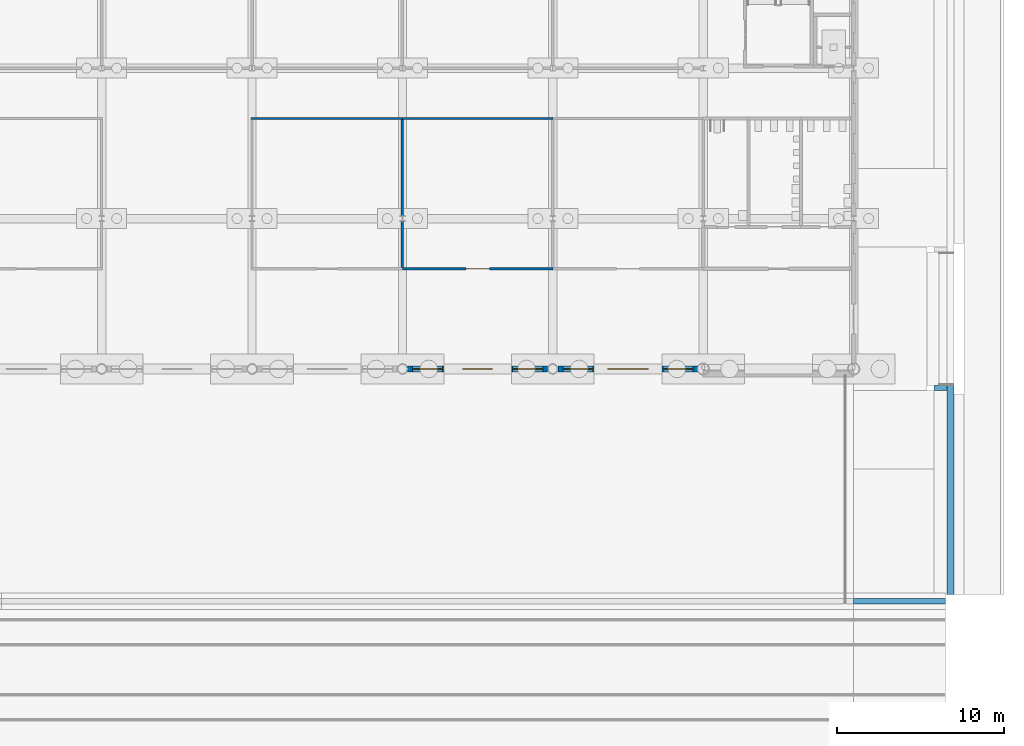
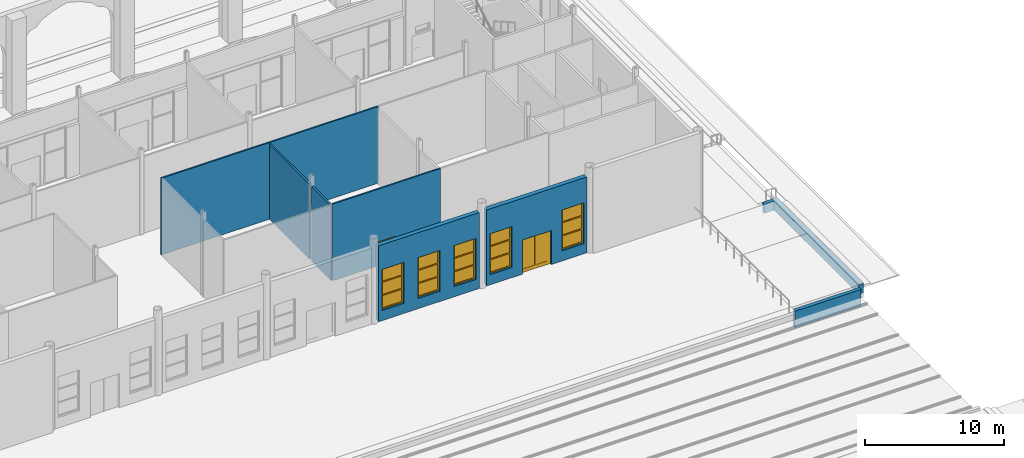
# One storey, part 129 of 250: 10 walls, 5 windows, 2 doors, 7 openings.
"""IFC4 building model written with IfcOpenShell, lengths in metres."""

from ifc_helpers import new_model, si_unit, direction, frame, frame_2d, origin, place, context, subcontext, project, spatial, polyline, rectangle, outline, extrude, material, layer, layer_set, type_object, element, fill, save


model = new_model("IFC4")

# Units and contexts
model_context = context("Model", 3, precision=1e-05, world=origin(), true_north=direction((0.0, 1.0)))
body_context = subcontext(model_context, "Body", "Model", "MODEL_VIEW")
ifc_project = project(units=[si_unit("LENGTHUNIT", "METRE"), si_unit("AREAUNIT", "SQUARE_METRE"), si_unit("VOLUMEUNIT", "CUBIC_METRE"), si_unit("PLANEANGLEUNIT", "RADIAN"), si_unit("MASSUNIT", "GRAM", prefix="KILO")], contexts=[model_context])

# Site, building, storey
site_placement = place(None, origin())
site = spatial("IfcSite", under=ifc_project, at=site_placement, CompositionType="ELEMENT")
building_placement = place(site_placement, origin())
building = spatial("IfcBuilding", under=site, at=building_placement, Name="Baradari Gate Terminus", CompositionType="ELEMENT")
storey_placement = place(building_placement, origin())
storey = spatial("IfcBuildingStorey", under=building, at=storey_placement, Name="L00", CompositionType="ELEMENT", Elevation=0.0)

# Walls
ifc_material_1 = material(Name="Gypsum board")
ifc_layer_1 = layer(ifc_material_1, 0.125)
ifc_layer_set_1 = layer_set([ifc_layer_1], Name="Gypsum board")
wall_type_1 = type_object("IfcWallType", Name="Corridor partition PT-5 125 EI 30", PredefinedType="PARTITIONING", material=ifc_layer_set_1)
wall_1_placement = place(storey_placement, frame((225.0, 96.0, 0.0), z_axis=(0.0, 0.0, 1.0), x_axis=(-1.0, 0.0, 0.0)))
element("IfcWall", 1, at=wall_1_placement, inside=storey, type_object=wall_type_1, Name="PT-5 partition Corridor (Service Corridor East) / Prayer Room (Men)", PredefinedType="PARTITIONING", context=body_context, shape_type="SweptSolid", body=[
    extrude(rectangle(XDim=9.0, YDim=0.125, at=frame_2d((4.5, 0.0))), origin(), (0.0, 0.0, 1.0), 6.757080078125),
])
wall_2_placement = place(storey_placement, frame((216.0, 96.0, 0.0), z_axis=(0.0, 0.0, 1.0), x_axis=(-1.0, 0.0, 0.0)))
element("IfcWall", 2, at=wall_2_placement, inside=storey, type_object=wall_type_1, Name="PT-5 partition Corridor (Service Corridor East) / Police Post", PredefinedType="PARTITIONING", context=body_context, shape_type="SweptSolid", body=[
    extrude(rectangle(XDim=9.0625, YDim=0.125, at=frame_2d((4.53125, 0.0))), origin(), (0.0, 0.0, 1.0), 6.757080078125),
])

# Wall, opening, door
wall_3_placement = place(storey_placement, frame((216.0, 87.0, 0.0), z_axis=(0.0, 0.0, 1.0), x_axis=(1.0, 0.0, 0.0)))
wall_3 = element("IfcWall", 3, at=wall_3_placement, inside=storey, type_object=wall_type_1, Name="PT-5 partition Corridor (Platform Passage East) / Prayer Room (Men)", PredefinedType="PARTITIONING", context=body_context, shape_type="SweptSolid", body=[
    extrude(rectangle(XDim=9.0, YDim=0.125, at=frame_2d((4.5, 0.0))), origin(), (0.0, 0.0, 1.0), 6.757080078125),
])
opening_1_placement = place(wall_3_placement, frame((3.800048828125, 0.0, 0.0)))
opening_1 = element("IfcOpeningElement", 4, at=opening_1_placement, cuts=wall_3, Name="Opening D00-115", PredefinedType="OPENING", context=body_context, shape_type="SweptSolid", body=[
    extrude(rectangle(XDim=1.39990234375, YDim=2.10009765625, at=frame_2d((0.699951171875, 1.050048828125))), frame((0.0, 0.072509765625, 0.0), z_axis=(0.0, -1.0, 0.0), x_axis=(1.0, 0.0, 0.0)), (0.0, 0.0, 1.0), 0.14501953125),
])
ifc_material_2 = material(Name="Steel S275", Category="steel")
door_type_1 = type_object("IfcDoorType", Name="Fire door FI-1400-FD30S 1400x2100 FD30S", OperationType="DOUBLE_DOOR_SINGLE_SWING", PredefinedType="DOOR", material=ifc_material_2)
door_1_placement = place(opening_1_placement, origin())
door_1 = element("IfcDoor", 5, at=door_1_placement, inside=storey, type_object=door_type_1, Name="Door Prayer Room (Men)", OperationType="DOUBLE_DOOR_SINGLE_SWING", OverallHeight=2.1, OverallWidth=1.4, PredefinedType="DOOR", context=body_context, shape_type="SweptSolid", body=[
    extrude(outline(polyline([(0.0, 0.0), (0.070068359375, 0.0), (0.070068359375, 2.030029296875), (1.329833984375, 2.030029296875), (1.329833984375, 0.0), (1.39990234375, 0.0), (1.39990234375, 2.10009765625), (0.0, 2.10009765625), (0.0, 0.0)])), frame((0.0, 0.02490234375, 0.0), z_axis=(0.0, -1.0, 0.0), x_axis=(1.0, 0.0, 0.0)), (0.0, 0.0, 1.0), 0.050048828125),
    extrude(outline(polyline([(0.073974609375, 0.010009765625), (0.69677734375, 0.010009765625), (0.69677734375, 2.026123046875), (0.073974609375, 2.026123046875), (0.073974609375, 0.010009765625)]), holes=[polyline([(0.194091796875, 0.159912109375), (0.576904296875, 0.159912109375), (0.576904296875, 1.010009765625), (0.194091796875, 1.010009765625), (0.194091796875, 0.159912109375)]), polyline([(0.2353515625, 1.159912109375), (0.535400390625, 1.159912109375), (0.535400390625, 1.760009765625), (0.2353515625, 1.760009765625), (0.2353515625, 1.159912109375)])]), frame((0.0, 0.017333984375, 0.0), z_axis=(0.0, -1.0, 0.0), x_axis=(1.0, 0.0, 0.0)), (0.0, 0.0, 1.0), 0.034912109375),
    extrude(rectangle(XDim=0.3828125, YDim=0.85009765625, at=frame_2d((0.385498046875, 0.5849609375))), frame((0.0, 0.008544921875, 0.0), z_axis=(0.0, -1.0, 0.0), x_axis=(1.0, 0.0, 0.0)), (0.0, 0.0, 1.0), 0.017333984375),
    extrude(rectangle(XDim=0.300048828125, YDim=0.60009765625, at=frame_2d((0.38525390625, 1.4599609375))), frame((0.0, 0.005859375, 0.0), z_axis=(0.0, -1.0, 0.0), x_axis=(1.0, 0.0, 0.0)), (0.0, 0.0, 1.0), 0.011962890625),
    extrude(outline(polyline([(0.703125, 0.010009765625), (1.325927734375, 0.010009765625), (1.325927734375, 2.026123046875), (0.703125, 2.026123046875), (0.703125, 0.010009765625)]), holes=[polyline([(0.822998046875, 0.159912109375), (1.205810546875, 0.159912109375), (1.205810546875, 1.010009765625), (0.822998046875, 1.010009765625), (0.822998046875, 0.159912109375)]), polyline([(0.864501953125, 1.159912109375), (1.16455078125, 1.159912109375), (1.16455078125, 1.760009765625), (0.864501953125, 1.760009765625), (0.864501953125, 1.159912109375)])]), frame((0.0, 0.017333984375, 0.0), z_axis=(0.0, -1.0, 0.0), x_axis=(1.0, 0.0, 0.0)), (0.0, 0.0, 1.0), 0.034912109375),
    extrude(rectangle(XDim=0.3828125, YDim=0.85009765625, at=frame_2d((1.014404296875, 0.5849609375))), frame((0.0, 0.008544921875, 0.0), z_axis=(0.0, -1.0, 0.0), x_axis=(1.0, 0.0, 0.0)), (0.0, 0.0, 1.0), 0.017333984375),
    extrude(rectangle(XDim=0.300048828125, YDim=0.60009765625, at=frame_2d((1.0146484375, 1.4599609375))), frame((0.0, 0.005859375, 0.0), z_axis=(0.0, -1.0, 0.0), x_axis=(1.0, 0.0, 0.0)), (0.0, 0.0, 1.0), 0.011962890625),
])
fill(opening_1, door_1)

# Walls
ifc_material_3 = material(Name="Blockwork wall, plastered", Category="masonry")
ifc_layer_2 = layer(ifc_material_3, 0.14990234375)
ifc_layer_set_2 = layer_set([ifc_layer_2], Name="Blockwork wall, plastered")
wall_type_2 = type_object("IfcWallType", Name="Partition PT-2 150 EI 60", PredefinedType="PARTITIONING", material=ifc_layer_set_2)
wall_4_placement = place(storey_placement, frame((216.0, 95.9375, 0.0), z_axis=(0.0, 0.0, 1.0), x_axis=(0.0, -1.0, 0.0)))
element("IfcWall", 6, at=wall_4_placement, inside=storey, type_object=wall_type_2, Name="PT-2 partition Police Post / Prayer Room (Men)", PredefinedType="PARTITIONING", context=body_context, shape_type="SweptSolid", body=[
    extrude(rectangle(XDim=5.7802734375, YDim=0.14990234375, at=frame_2d((2.89013671875, 0.0))), origin(), (0.0, 0.0, 1.0), 6.60009765625),
])
wall_5_placement = place(storey_placement, frame((216.0, 89.8427734375, 0.0), z_axis=(0.0, 0.0, 1.0), x_axis=(0.0, -1.0, 0.0)))
element("IfcWall", 7, at=wall_5_placement, inside=storey, type_object=wall_type_2, Name="PT-2 partition Police Post / Prayer Room (Men)", PredefinedType="PARTITIONING", context=body_context, shape_type="SweptSolid", body=[
    extrude(rectangle(XDim=2.7802734375, YDim=0.14990234375, at=frame_2d((1.39013671875, 0.0))), origin(), (0.0, 0.0, 1.0), 6.60009765625),
])
ifc_material_4 = material(Name="Sandstone masonry", Category="masonry")
ifc_layer_3 = layer(ifc_material_4, 0.39990234375)
ifc_layer_set_3 = layer_set([ifc_layer_3], Name="Sandstone masonry")
wall_type_3 = type_object("IfcWallType", Name="Plinth retaining wall KW-1 400", PredefinedType="SOLIDWALL", material=ifc_layer_set_3)
wall_6_placement = place(storey_placement, frame((248.800048828125, 67.5, -0.800048828125), z_axis=(0.0, 0.0, 1.0), x_axis=(0.0, 1.0, 0.0)))
element("IfcWall", 8, at=wall_6_placement, inside=storey, type_object=wall_type_3, Name="Plinth retaining wall E2", PredefinedType="SOLIDWALL", context=body_context, shape_type="SweptSolid", body=[
    extrude(rectangle(XDim=12.5, YDim=0.39990234375, at=frame_2d((6.25, 0.0))), origin(), (0.0, 0.0, 1.0), 0.800048828125),
])
ifc_material_5 = material(Name="Sandstone masonry", Category="masonry")
ifc_layer_4 = layer(ifc_material_5, 0.300048828125)
ifc_layer_set_4 = layer_set([ifc_layer_4], Name="Sandstone masonry")
wall_type_4 = type_object("IfcWallType", Name="Retaining cheek wall KW-2 300", PredefinedType="SOLIDWALL", material=ifc_layer_set_4)
wall_7_placement = place(storey_placement, frame((247.800048828125, 79.85009765625, -0.800048828125), z_axis=(0.0, 0.0, 1.0), x_axis=(1.0, 0.0, 0.0)))
element("IfcWall", 9, at=wall_7_placement, inside=storey, type_object=wall_type_4, Name="Return wall East exit gate a", PredefinedType="SOLIDWALL", context=body_context, shape_type="SweptSolid", body=[
    extrude(rectangle(XDim=0.800048828125, YDim=0.300048828125, at=frame_2d((0.39990234375, 0.0))), origin(), (0.0, 0.0, 1.0), 0.800048828125),
])

# Wall, openings, windows
ifc_material_6 = material(Name="Sandstone masonry", Category="masonry")
ifc_layer_5 = layer(ifc_material_6, 0.35009765625)
ifc_layer_set_5 = layer_set([ifc_layer_5], Name="Sandstone masonry")
wall_type_5 = type_object("IfcWallType", Name="Sandstone masonry wall WS-1 350", PredefinedType="SOLIDWALL", material=ifc_layer_set_5)
wall_8_placement = place(storey_placement, frame((216.304931640625, 81.0, 0.0), z_axis=(0.0, 0.0, 1.0), x_axis=(1.0, 0.0, 0.0)))
wall_8 = element("IfcWall", 10, at=wall_8_placement, inside=storey, type_object=wall_type_5, Name="platform side wall HS bay 25 L00", PredefinedType="SOLIDWALL", context=body_context, shape_type="SweptSolid", body=[
    extrude(rectangle(XDim=8.39013671875, YDim=0.35009765625, at=frame_2d((4.195068359375, 0.0))), origin(), (0.0, 0.0, 1.0), 6.692138671875),
])
opening_2_placement = place(wall_8_placement, frame((0.294921875, 0.0, 0.89990234375)))
opening_2 = element("IfcOpeningElement", 11, at=opening_2_placement, cuts=wall_8, Name="Opening W3", PredefinedType="OPENING", context=body_context, shape_type="SweptSolid", body=[
    extrude(rectangle(XDim=1.800048828125, YDim=3.60009765625, at=frame_2d((0.89990234375, 1.800048828125))), frame((0.0, 0.18505859375, 0.0), z_axis=(0.0, -1.0, 0.0), x_axis=(1.0, 0.0, 0.0)), (0.0, 0.0, 1.0), 0.3701171875),
])
opening_3_placement = place(wall_8_placement, frame((3.294921875, 0.0, 0.89990234375)))
opening_3 = element("IfcOpeningElement", 12, at=opening_3_placement, cuts=wall_8, Name="Opening W3", PredefinedType="OPENING", context=body_context, shape_type="SweptSolid", body=[
    extrude(rectangle(XDim=1.800048828125, YDim=3.60009765625, at=frame_2d((0.89990234375, 1.800048828125))), frame((0.0, 0.18505859375, 0.0), z_axis=(0.0, -1.0, 0.0), x_axis=(1.0, 0.0, 0.0)), (0.0, 0.0, 1.0), 0.3701171875),
])
opening_4_placement = place(wall_8_placement, frame((6.294921875, 0.0, 0.89990234375)))
opening_4 = element("IfcOpeningElement", 13, at=opening_4_placement, cuts=wall_8, Name="Opening W3", PredefinedType="OPENING", context=body_context, shape_type="SweptSolid", body=[
    extrude(rectangle(XDim=1.800048828125, YDim=3.60009765625, at=frame_2d((0.89990234375, 1.800048828125))), frame((0.0, 0.18505859375, 0.0), z_axis=(0.0, -1.0, 0.0), x_axis=(1.0, 0.0, 0.0)), (0.0, 0.0, 1.0), 0.3701171875),
])
ifc_material_7 = material(Name="Aluminium 6063-T6", Category="aluminium")
window_type = type_object("IfcWindowType", Name="Tall window, 3-light W3 1800x3600", PartitioningType="TRIPLE_PANEL_HORIZONTAL", PredefinedType="WINDOW", material=ifc_material_7)
window_1_placement = place(opening_2_placement, origin())
window_1 = element("IfcWindow", 14, at=window_1_placement, inside=storey, type_object=window_type, Name="Window W3 HS/24", OverallHeight=3.6, OverallWidth=1.8, PartitioningType="TRIPLE_PANEL_HORIZONTAL", PredefinedType="WINDOW", context=body_context, shape_type="SweptSolid", body=[
    extrude(outline(polyline([(0.0, 0.0), (1.800048828125, 0.0), (1.800048828125, 3.60009765625), (0.0, 3.60009765625), (0.0, 0.0)]), holes=[polyline([(0.070068359375, 0.070068359375), (1.72998046875, 0.070068359375), (1.72998046875, 3.530029296875), (0.070068359375, 3.530029296875), (0.070068359375, 0.070068359375)])]), frame((0.0, 0.030029296875, 0.0), z_axis=(0.0, -1.0, 0.0), x_axis=(1.0, 0.0, 0.0)), (0.0, 0.0, 1.0), 0.06005859375),
    extrude(rectangle(XDim=1.659912109375, YDim=0.0400390625, at=frame_2d((0.89990234375, 1.216796875))), frame((0.0, 0.021484375, 0.0), z_axis=(0.0, -1.0, 0.0), x_axis=(1.0, 0.0, 0.0)), (0.0, 0.0, 1.0), 0.04296875),
    extrude(rectangle(XDim=1.659912109375, YDim=0.0400390625, at=frame_2d((0.89990234375, 2.38330078125))), frame((0.0, 0.021484375, 0.0), z_axis=(0.0, -1.0, 0.0), x_axis=(1.0, 0.0, 0.0)), (0.0, 0.0, 1.0), 0.04296875),
    extrude(outline(polyline([(0.070068359375, 0.070068359375), (1.72998046875, 0.070068359375), (1.72998046875, 1.19677734375), (0.070068359375, 1.19677734375), (0.070068359375, 0.070068359375)]), holes=[polyline([(0.10009765625, 0.10009765625), (1.699951171875, 0.10009765625), (1.699951171875, 1.166748046875), (0.10009765625, 1.166748046875), (0.10009765625, 0.10009765625)])]), frame((0.0, 0.0224609375, 0.0), z_axis=(0.0, -1.0, 0.0), x_axis=(1.0, 0.0, 0.0)), (0.0, 0.0, 1.0), 0.044921875),
    extrude(rectangle(XDim=1.599853515625, YDim=1.066650390625, at=frame_2d((0.89990234375, 0.63330078125))), frame((0.0, 0.006103515625, 0.0), z_axis=(0.0, -1.0, 0.0), x_axis=(1.0, 0.0, 0.0)), (0.0, 0.0, 1.0), 0.01220703125),
    extrude(outline(polyline([(0.070068359375, 1.23681640625), (1.72998046875, 1.23681640625), (1.72998046875, 2.36328125), (0.070068359375, 2.36328125), (0.070068359375, 1.23681640625)]), holes=[polyline([(0.10009765625, 1.266845703125), (1.699951171875, 1.266845703125), (1.699951171875, 2.333251953125), (0.10009765625, 2.333251953125), (0.10009765625, 1.266845703125)])]), frame((0.0, 0.0224609375, 0.0), z_axis=(0.0, -1.0, 0.0), x_axis=(1.0, 0.0, 0.0)), (0.0, 0.0, 1.0), 0.044921875),
    extrude(rectangle(XDim=1.599853515625, YDim=1.06640625, at=frame_2d((0.89990234375, 1.800048828125))), frame((0.0, 0.006103515625, 0.0), z_axis=(0.0, -1.0, 0.0), x_axis=(1.0, 0.0, 0.0)), (0.0, 0.0, 1.0), 0.01220703125),
    extrude(outline(polyline([(0.070068359375, 2.4033203125), (1.72998046875, 2.4033203125), (1.72998046875, 3.530029296875), (0.070068359375, 3.530029296875), (0.070068359375, 2.4033203125)]), holes=[polyline([(0.10009765625, 2.433349609375), (1.699951171875, 2.433349609375), (1.699951171875, 3.5), (0.10009765625, 3.5), (0.10009765625, 2.433349609375)])]), frame((0.0, 0.0224609375, 0.0), z_axis=(0.0, -1.0, 0.0), x_axis=(1.0, 0.0, 0.0)), (0.0, 0.0, 1.0), 0.044921875),
    extrude(rectangle(XDim=1.599853515625, YDim=1.066650390625, at=frame_2d((0.89990234375, 2.966796875))), frame((0.0, 0.006103515625, 0.0), z_axis=(0.0, -1.0, 0.0), x_axis=(1.0, 0.0, 0.0)), (0.0, 0.0, 1.0), 0.01220703125),
])
fill(opening_2, window_1)
window_2_placement = place(opening_3_placement, origin())
window_2 = element("IfcWindow", 15, at=window_2_placement, inside=storey, type_object=window_type, Name="Window W3 HS/24", OverallHeight=3.6, OverallWidth=1.8, PartitioningType="TRIPLE_PANEL_HORIZONTAL", PredefinedType="WINDOW", context=body_context, shape_type="SweptSolid", body=[
    extrude(outline(polyline([(0.0, 0.0), (1.800048828125, 0.0), (1.800048828125, 3.60009765625), (0.0, 3.60009765625), (0.0, 0.0)]), holes=[polyline([(0.070068359375, 0.070068359375), (1.72998046875, 0.070068359375), (1.72998046875, 3.530029296875), (0.070068359375, 3.530029296875), (0.070068359375, 0.070068359375)])]), frame((0.0, 0.030029296875, 0.0), z_axis=(0.0, -1.0, 0.0), x_axis=(1.0, 0.0, 0.0)), (0.0, 0.0, 1.0), 0.06005859375),
    extrude(rectangle(XDim=1.659912109375, YDim=0.0400390625, at=frame_2d((0.89990234375, 1.216796875))), frame((0.0, 0.021484375, 0.0), z_axis=(0.0, -1.0, 0.0), x_axis=(1.0, 0.0, 0.0)), (0.0, 0.0, 1.0), 0.04296875),
    extrude(rectangle(XDim=1.659912109375, YDim=0.0400390625, at=frame_2d((0.89990234375, 2.38330078125))), frame((0.0, 0.021484375, 0.0), z_axis=(0.0, -1.0, 0.0), x_axis=(1.0, 0.0, 0.0)), (0.0, 0.0, 1.0), 0.04296875),
    extrude(outline(polyline([(0.070068359375, 0.070068359375), (1.72998046875, 0.070068359375), (1.72998046875, 1.19677734375), (0.070068359375, 1.19677734375), (0.070068359375, 0.070068359375)]), holes=[polyline([(0.10009765625, 0.10009765625), (1.699951171875, 0.10009765625), (1.699951171875, 1.166748046875), (0.10009765625, 1.166748046875), (0.10009765625, 0.10009765625)])]), frame((0.0, 0.0224609375, 0.0), z_axis=(0.0, -1.0, 0.0), x_axis=(1.0, 0.0, 0.0)), (0.0, 0.0, 1.0), 0.044921875),
    extrude(rectangle(XDim=1.599853515625, YDim=1.066650390625, at=frame_2d((0.89990234375, 0.63330078125))), frame((0.0, 0.006103515625, 0.0), z_axis=(0.0, -1.0, 0.0), x_axis=(1.0, 0.0, 0.0)), (0.0, 0.0, 1.0), 0.01220703125),
    extrude(outline(polyline([(0.070068359375, 1.23681640625), (1.72998046875, 1.23681640625), (1.72998046875, 2.36328125), (0.070068359375, 2.36328125), (0.070068359375, 1.23681640625)]), holes=[polyline([(0.10009765625, 1.266845703125), (1.699951171875, 1.266845703125), (1.699951171875, 2.333251953125), (0.10009765625, 2.333251953125), (0.10009765625, 1.266845703125)])]), frame((0.0, 0.0224609375, 0.0), z_axis=(0.0, -1.0, 0.0), x_axis=(1.0, 0.0, 0.0)), (0.0, 0.0, 1.0), 0.044921875),
    extrude(rectangle(XDim=1.599853515625, YDim=1.06640625, at=frame_2d((0.89990234375, 1.800048828125))), frame((0.0, 0.006103515625, 0.0), z_axis=(0.0, -1.0, 0.0), x_axis=(1.0, 0.0, 0.0)), (0.0, 0.0, 1.0), 0.01220703125),
    extrude(outline(polyline([(0.070068359375, 2.4033203125), (1.72998046875, 2.4033203125), (1.72998046875, 3.530029296875), (0.070068359375, 3.530029296875), (0.070068359375, 2.4033203125)]), holes=[polyline([(0.10009765625, 2.433349609375), (1.699951171875, 2.433349609375), (1.699951171875, 3.5), (0.10009765625, 3.5), (0.10009765625, 2.433349609375)])]), frame((0.0, 0.0224609375, 0.0), z_axis=(0.0, -1.0, 0.0), x_axis=(1.0, 0.0, 0.0)), (0.0, 0.0, 1.0), 0.044921875),
    extrude(rectangle(XDim=1.599853515625, YDim=1.066650390625, at=frame_2d((0.89990234375, 2.966796875))), frame((0.0, 0.006103515625, 0.0), z_axis=(0.0, -1.0, 0.0), x_axis=(1.0, 0.0, 0.0)), (0.0, 0.0, 1.0), 0.01220703125),
])
fill(opening_3, window_2)
window_3_placement = place(opening_4_placement, origin())
window_3 = element("IfcWindow", 16, at=window_3_placement, inside=storey, type_object=window_type, Name="Window W3 HS/24", OverallHeight=3.6, OverallWidth=1.8, PartitioningType="TRIPLE_PANEL_HORIZONTAL", PredefinedType="WINDOW", context=body_context, shape_type="SweptSolid", body=[
    extrude(outline(polyline([(0.0, 0.0), (1.800048828125, 0.0), (1.800048828125, 3.60009765625), (0.0, 3.60009765625), (0.0, 0.0)]), holes=[polyline([(0.070068359375, 0.070068359375), (1.72998046875, 0.070068359375), (1.72998046875, 3.530029296875), (0.070068359375, 3.530029296875), (0.070068359375, 0.070068359375)])]), frame((0.0, 0.030029296875, 0.0), z_axis=(0.0, -1.0, 0.0), x_axis=(1.0, 0.0, 0.0)), (0.0, 0.0, 1.0), 0.06005859375),
    extrude(rectangle(XDim=1.659912109375, YDim=0.0400390625, at=frame_2d((0.89990234375, 1.216796875))), frame((0.0, 0.021484375, 0.0), z_axis=(0.0, -1.0, 0.0), x_axis=(1.0, 0.0, 0.0)), (0.0, 0.0, 1.0), 0.04296875),
    extrude(rectangle(XDim=1.659912109375, YDim=0.0400390625, at=frame_2d((0.89990234375, 2.38330078125))), frame((0.0, 0.021484375, 0.0), z_axis=(0.0, -1.0, 0.0), x_axis=(1.0, 0.0, 0.0)), (0.0, 0.0, 1.0), 0.04296875),
    extrude(outline(polyline([(0.070068359375, 0.070068359375), (1.72998046875, 0.070068359375), (1.72998046875, 1.19677734375), (0.070068359375, 1.19677734375), (0.070068359375, 0.070068359375)]), holes=[polyline([(0.10009765625, 0.10009765625), (1.699951171875, 0.10009765625), (1.699951171875, 1.166748046875), (0.10009765625, 1.166748046875), (0.10009765625, 0.10009765625)])]), frame((0.0, 0.0224609375, 0.0), z_axis=(0.0, -1.0, 0.0), x_axis=(1.0, 0.0, 0.0)), (0.0, 0.0, 1.0), 0.044921875),
    extrude(rectangle(XDim=1.599853515625, YDim=1.066650390625, at=frame_2d((0.89990234375, 0.63330078125))), frame((0.0, 0.006103515625, 0.0), z_axis=(0.0, -1.0, 0.0), x_axis=(1.0, 0.0, 0.0)), (0.0, 0.0, 1.0), 0.01220703125),
    extrude(outline(polyline([(0.070068359375, 1.23681640625), (1.72998046875, 1.23681640625), (1.72998046875, 2.36328125), (0.070068359375, 2.36328125), (0.070068359375, 1.23681640625)]), holes=[polyline([(0.10009765625, 1.266845703125), (1.699951171875, 1.266845703125), (1.699951171875, 2.333251953125), (0.10009765625, 2.333251953125), (0.10009765625, 1.266845703125)])]), frame((0.0, 0.0224609375, 0.0), z_axis=(0.0, -1.0, 0.0), x_axis=(1.0, 0.0, 0.0)), (0.0, 0.0, 1.0), 0.044921875),
    extrude(rectangle(XDim=1.599853515625, YDim=1.06640625, at=frame_2d((0.89990234375, 1.800048828125))), frame((0.0, 0.006103515625, 0.0), z_axis=(0.0, -1.0, 0.0), x_axis=(1.0, 0.0, 0.0)), (0.0, 0.0, 1.0), 0.01220703125),
    extrude(outline(polyline([(0.070068359375, 2.4033203125), (1.72998046875, 2.4033203125), (1.72998046875, 3.530029296875), (0.070068359375, 3.530029296875), (0.070068359375, 2.4033203125)]), holes=[polyline([(0.10009765625, 2.433349609375), (1.699951171875, 2.433349609375), (1.699951171875, 3.5), (0.10009765625, 3.5), (0.10009765625, 2.433349609375)])]), frame((0.0, 0.0224609375, 0.0), z_axis=(0.0, -1.0, 0.0), x_axis=(1.0, 0.0, 0.0)), (0.0, 0.0, 1.0), 0.044921875),
    extrude(rectangle(XDim=1.599853515625, YDim=1.066650390625, at=frame_2d((0.89990234375, 2.966796875))), frame((0.0, 0.006103515625, 0.0), z_axis=(0.0, -1.0, 0.0), x_axis=(1.0, 0.0, 0.0)), (0.0, 0.0, 1.0), 0.01220703125),
])
fill(opening_4, window_3)

# Wall, openings, door, windows
wall_9_placement = place(storey_placement, frame((225.304931640625, 81.0, 0.0), z_axis=(0.0, 0.0, 1.0), x_axis=(1.0, 0.0, 0.0)))
wall_9 = element("IfcWall", 17, at=wall_9_placement, inside=storey, type_object=wall_type_5, Name="platform side HS bay 26 L00", PredefinedType="SOLIDWALL", context=body_context, shape_type="SweptSolid", body=[
    extrude(rectangle(XDim=8.339599609375, YDim=0.35009765625, at=frame_2d((4.169921875, 0.0))), origin(), (0.0, 0.0, 1.0), 6.692138671875),
])
opening_5_placement = place(wall_9_placement, frame((2.9951171875, 0.0, 0.0)))
opening_5 = element("IfcOpeningElement", 18, at=opening_5_placement, cuts=wall_9, Name="Opening D00-043", PredefinedType="OPENING", context=body_context, shape_type="SweptSolid", body=[
    extrude(rectangle(XDim=2.39990234375, YDim=3.0, at=frame_2d((1.199951171875, 1.5))), frame((0.0, 0.18505859375, 0.0), z_axis=(0.0, -1.0, 0.0), x_axis=(1.0, 0.0, 0.0)), (0.0, 0.0, 1.0), 0.3701171875),
])
opening_6_placement = place(wall_9_placement, frame((0.294921875, 0.0, 0.89990234375)))
opening_6 = element("IfcOpeningElement", 19, at=opening_6_placement, cuts=wall_9, Name="Opening W3", PredefinedType="OPENING", context=body_context, shape_type="SweptSolid", body=[
    extrude(rectangle(XDim=1.800048828125, YDim=3.60009765625, at=frame_2d((0.89990234375, 1.800048828125))), frame((0.0, 0.18505859375, 0.0), z_axis=(0.0, -1.0, 0.0), x_axis=(1.0, 0.0, 0.0)), (0.0, 0.0, 1.0), 0.3701171875),
])
opening_7_placement = place(wall_9_placement, frame((6.294921875, 0.0, 0.89990234375)))
opening_7 = element("IfcOpeningElement", 20, at=opening_7_placement, cuts=wall_9, Name="Opening W3", PredefinedType="OPENING", context=body_context, shape_type="SweptSolid", body=[
    extrude(rectangle(XDim=1.800048828125, YDim=3.60009765625, at=frame_2d((0.89990234375, 1.800048828125))), frame((0.0, 0.18505859375, 0.0), z_axis=(0.0, -1.0, 0.0), x_axis=(1.0, 0.0, 0.0)), (0.0, 0.0, 1.0), 0.3701171875),
])
ifc_material_8 = material(Name="Aluminium 6063-T6", Category="aluminium")
door_type_2 = type_object("IfcDoorType", Name="Platform door pair, glazed DT-7 2400x3000", OperationType="DOUBLE_DOOR_SINGLE_SWING", PredefinedType="DOOR", material=ifc_material_8)
door_2_placement = place(opening_5_placement, frame((2.39990234375, 0.0, 0.0), z_axis=(0.0, 0.0, 1.0), x_axis=(-1.0, 0.0, 0.0)))
door_2 = element("IfcDoor", 21, at=door_2_placement, inside=storey, type_object=door_type_2, Name="Exit door Corridor (Platform Passage East)", OperationType="DOUBLE_DOOR_SINGLE_SWING", OverallHeight=3.0, OverallWidth=2.4, PredefinedType="DOOR", context=body_context, shape_type="SweptSolid", body=[
    extrude(outline(polyline([(0.0, 0.0), (0.070068359375, 0.0), (0.070068359375, 2.929931640625), (2.329833984375, 2.929931640625), (2.329833984375, 0.0), (2.39990234375, 0.0), (2.39990234375, 3.0), (0.0, 3.0), (0.0, 0.0)])), frame((0.0, 0.02490234375, 0.0), z_axis=(0.0, -1.0, 0.0), x_axis=(1.0, 0.0, 0.0)), (0.0, 0.0, 1.0), 0.050048828125),
    extrude(outline(polyline([(0.073974609375, 0.010009765625), (1.19677734375, 0.010009765625), (1.19677734375, 2.926025390625), (0.073974609375, 2.926025390625), (0.073974609375, 0.010009765625)]), holes=[polyline([(0.1640625, 0.31005859375), (1.10693359375, 0.31005859375), (1.10693359375, 2.8359375), (0.1640625, 2.8359375), (0.1640625, 0.31005859375)])]), frame((0.0, 0.017333984375, 0.0), z_axis=(0.0, -1.0, 0.0), x_axis=(1.0, 0.0, 0.0)), (0.0, 0.0, 1.0), 0.034912109375),
    extrude(rectangle(XDim=0.94287109375, YDim=2.52587890625, at=frame_2d((0.635498046875, 1.572998046875))), frame((0.0, 0.005859375, 0.0), z_axis=(0.0, -1.0, 0.0), x_axis=(1.0, 0.0, 0.0)), (0.0, 0.0, 1.0), 0.011962890625),
    extrude(outline(polyline([(1.203125, 0.010009765625), (2.325927734375, 0.010009765625), (2.325927734375, 2.926025390625), (1.203125, 2.926025390625), (1.203125, 0.010009765625)]), holes=[polyline([(1.29296875, 0.31005859375), (2.23583984375, 0.31005859375), (2.23583984375, 2.8359375), (1.29296875, 2.8359375), (1.29296875, 0.31005859375)])]), frame((0.0, 0.017333984375, 0.0), z_axis=(0.0, -1.0, 0.0), x_axis=(1.0, 0.0, 0.0)), (0.0, 0.0, 1.0), 0.034912109375),
    extrude(rectangle(XDim=0.94287109375, YDim=2.52587890625, at=frame_2d((1.764404296875, 1.572998046875))), frame((0.0, 0.005859375, 0.0), z_axis=(0.0, -1.0, 0.0), x_axis=(1.0, 0.0, 0.0)), (0.0, 0.0, 1.0), 0.011962890625),
])
fill(opening_5, door_2)
window_4_placement = place(opening_6_placement, origin())
window_4 = element("IfcWindow", 22, at=window_4_placement, inside=storey, type_object=window_type, Name="Window W3 HS/25", OverallHeight=3.6, OverallWidth=1.8, PartitioningType="TRIPLE_PANEL_HORIZONTAL", PredefinedType="WINDOW", context=body_context, shape_type="SweptSolid", body=[
    extrude(outline(polyline([(0.0, 0.0), (1.800048828125, 0.0), (1.800048828125, 3.60009765625), (0.0, 3.60009765625), (0.0, 0.0)]), holes=[polyline([(0.070068359375, 0.070068359375), (1.72998046875, 0.070068359375), (1.72998046875, 3.530029296875), (0.070068359375, 3.530029296875), (0.070068359375, 0.070068359375)])]), frame((0.0, 0.030029296875, 0.0), z_axis=(0.0, -1.0, 0.0), x_axis=(1.0, 0.0, 0.0)), (0.0, 0.0, 1.0), 0.06005859375),
    extrude(rectangle(XDim=1.659912109375, YDim=0.0400390625, at=frame_2d((0.89990234375, 1.216796875))), frame((0.0, 0.021484375, 0.0), z_axis=(0.0, -1.0, 0.0), x_axis=(1.0, 0.0, 0.0)), (0.0, 0.0, 1.0), 0.04296875),
    extrude(rectangle(XDim=1.659912109375, YDim=0.0400390625, at=frame_2d((0.89990234375, 2.38330078125))), frame((0.0, 0.021484375, 0.0), z_axis=(0.0, -1.0, 0.0), x_axis=(1.0, 0.0, 0.0)), (0.0, 0.0, 1.0), 0.04296875),
    extrude(outline(polyline([(0.070068359375, 0.070068359375), (1.72998046875, 0.070068359375), (1.72998046875, 1.19677734375), (0.070068359375, 1.19677734375), (0.070068359375, 0.070068359375)]), holes=[polyline([(0.10009765625, 0.10009765625), (1.699951171875, 0.10009765625), (1.699951171875, 1.166748046875), (0.10009765625, 1.166748046875), (0.10009765625, 0.10009765625)])]), frame((0.0, 0.0224609375, 0.0), z_axis=(0.0, -1.0, 0.0), x_axis=(1.0, 0.0, 0.0)), (0.0, 0.0, 1.0), 0.044921875),
    extrude(rectangle(XDim=1.599853515625, YDim=1.066650390625, at=frame_2d((0.89990234375, 0.63330078125))), frame((0.0, 0.006103515625, 0.0), z_axis=(0.0, -1.0, 0.0), x_axis=(1.0, 0.0, 0.0)), (0.0, 0.0, 1.0), 0.01220703125),
    extrude(outline(polyline([(0.070068359375, 1.23681640625), (1.72998046875, 1.23681640625), (1.72998046875, 2.36328125), (0.070068359375, 2.36328125), (0.070068359375, 1.23681640625)]), holes=[polyline([(0.10009765625, 1.266845703125), (1.699951171875, 1.266845703125), (1.699951171875, 2.333251953125), (0.10009765625, 2.333251953125), (0.10009765625, 1.266845703125)])]), frame((0.0, 0.0224609375, 0.0), z_axis=(0.0, -1.0, 0.0), x_axis=(1.0, 0.0, 0.0)), (0.0, 0.0, 1.0), 0.044921875),
    extrude(rectangle(XDim=1.599853515625, YDim=1.06640625, at=frame_2d((0.89990234375, 1.800048828125))), frame((0.0, 0.006103515625, 0.0), z_axis=(0.0, -1.0, 0.0), x_axis=(1.0, 0.0, 0.0)), (0.0, 0.0, 1.0), 0.01220703125),
    extrude(outline(polyline([(0.070068359375, 2.4033203125), (1.72998046875, 2.4033203125), (1.72998046875, 3.530029296875), (0.070068359375, 3.530029296875), (0.070068359375, 2.4033203125)]), holes=[polyline([(0.10009765625, 2.433349609375), (1.699951171875, 2.433349609375), (1.699951171875, 3.5), (0.10009765625, 3.5), (0.10009765625, 2.433349609375)])]), frame((0.0, 0.0224609375, 0.0), z_axis=(0.0, -1.0, 0.0), x_axis=(1.0, 0.0, 0.0)), (0.0, 0.0, 1.0), 0.044921875),
    extrude(rectangle(XDim=1.599853515625, YDim=1.066650390625, at=frame_2d((0.89990234375, 2.966796875))), frame((0.0, 0.006103515625, 0.0), z_axis=(0.0, -1.0, 0.0), x_axis=(1.0, 0.0, 0.0)), (0.0, 0.0, 1.0), 0.01220703125),
])
fill(opening_6, window_4)
window_5_placement = place(opening_7_placement, origin())
window_5 = element("IfcWindow", 23, at=window_5_placement, inside=storey, type_object=window_type, Name="Window W3 HS/25", OverallHeight=3.6, OverallWidth=1.8, PartitioningType="TRIPLE_PANEL_HORIZONTAL", PredefinedType="WINDOW", context=body_context, shape_type="SweptSolid", body=[
    extrude(outline(polyline([(0.0, 0.0), (1.800048828125, 0.0), (1.800048828125, 3.60009765625), (0.0, 3.60009765625), (0.0, 0.0)]), holes=[polyline([(0.070068359375, 0.070068359375), (1.72998046875, 0.070068359375), (1.72998046875, 3.530029296875), (0.070068359375, 3.530029296875), (0.070068359375, 0.070068359375)])]), frame((0.0, 0.030029296875, 0.0), z_axis=(0.0, -1.0, 0.0), x_axis=(1.0, 0.0, 0.0)), (0.0, 0.0, 1.0), 0.06005859375),
    extrude(rectangle(XDim=1.659912109375, YDim=0.0400390625, at=frame_2d((0.89990234375, 1.216796875))), frame((0.0, 0.021484375, 0.0), z_axis=(0.0, -1.0, 0.0), x_axis=(1.0, 0.0, 0.0)), (0.0, 0.0, 1.0), 0.04296875),
    extrude(rectangle(XDim=1.659912109375, YDim=0.0400390625, at=frame_2d((0.89990234375, 2.38330078125))), frame((0.0, 0.021484375, 0.0), z_axis=(0.0, -1.0, 0.0), x_axis=(1.0, 0.0, 0.0)), (0.0, 0.0, 1.0), 0.04296875),
    extrude(outline(polyline([(0.070068359375, 0.070068359375), (1.72998046875, 0.070068359375), (1.72998046875, 1.19677734375), (0.070068359375, 1.19677734375), (0.070068359375, 0.070068359375)]), holes=[polyline([(0.10009765625, 0.10009765625), (1.699951171875, 0.10009765625), (1.699951171875, 1.166748046875), (0.10009765625, 1.166748046875), (0.10009765625, 0.10009765625)])]), frame((0.0, 0.0224609375, 0.0), z_axis=(0.0, -1.0, 0.0), x_axis=(1.0, 0.0, 0.0)), (0.0, 0.0, 1.0), 0.044921875),
    extrude(rectangle(XDim=1.599853515625, YDim=1.066650390625, at=frame_2d((0.89990234375, 0.63330078125))), frame((0.0, 0.006103515625, 0.0), z_axis=(0.0, -1.0, 0.0), x_axis=(1.0, 0.0, 0.0)), (0.0, 0.0, 1.0), 0.01220703125),
    extrude(outline(polyline([(0.070068359375, 1.23681640625), (1.72998046875, 1.23681640625), (1.72998046875, 2.36328125), (0.070068359375, 2.36328125), (0.070068359375, 1.23681640625)]), holes=[polyline([(0.10009765625, 1.266845703125), (1.699951171875, 1.266845703125), (1.699951171875, 2.333251953125), (0.10009765625, 2.333251953125), (0.10009765625, 1.266845703125)])]), frame((0.0, 0.0224609375, 0.0), z_axis=(0.0, -1.0, 0.0), x_axis=(1.0, 0.0, 0.0)), (0.0, 0.0, 1.0), 0.044921875),
    extrude(rectangle(XDim=1.599853515625, YDim=1.06640625, at=frame_2d((0.89990234375, 1.800048828125))), frame((0.0, 0.006103515625, 0.0), z_axis=(0.0, -1.0, 0.0), x_axis=(1.0, 0.0, 0.0)), (0.0, 0.0, 1.0), 0.01220703125),
    extrude(outline(polyline([(0.070068359375, 2.4033203125), (1.72998046875, 2.4033203125), (1.72998046875, 3.530029296875), (0.070068359375, 3.530029296875), (0.070068359375, 2.4033203125)]), holes=[polyline([(0.10009765625, 2.433349609375), (1.699951171875, 2.433349609375), (1.699951171875, 3.5), (0.10009765625, 3.5), (0.10009765625, 2.433349609375)])]), frame((0.0, 0.0224609375, 0.0), z_axis=(0.0, -1.0, 0.0), x_axis=(1.0, 0.0, 0.0)), (0.0, 0.0, 1.0), 0.044921875),
    extrude(rectangle(XDim=1.599853515625, YDim=1.066650390625, at=frame_2d((0.89990234375, 2.966796875))), frame((0.0, 0.006103515625, 0.0), z_axis=(0.0, -1.0, 0.0), x_axis=(1.0, 0.0, 0.0)), (0.0, 0.0, 1.0), 0.01220703125),
])
fill(opening_7, window_5)

# Wall
ifc_material_9 = material(Name="Concrete C40/50", Category="concrete")
ifc_layer_6 = layer(ifc_material_9, 0.300048828125)
ifc_layer_set_6 = layer_set([ifc_layer_6], Name="Concrete C40/50")
wall_type_6 = type_object("IfcWallType", Name="Track wing wall WW1 300", PredefinedType="SOLIDWALL", material=ifc_layer_set_6)
wall_10_placement = place(storey_placement, frame((243.0, 67.10009765625, -1.471923828125), z_axis=(0.0, 0.0, 1.0), x_axis=(1.0, 0.0, 0.0)))
element("IfcWall", 24, at=wall_10_placement, inside=storey, type_object=wall_type_6, Name="Track wing wall EN", PredefinedType="SOLIDWALL", context=body_context, shape_type="SweptSolid", body=[
    extrude(rectangle(XDim=5.5, YDim=0.300048828125, at=frame_2d((2.75, 0.0))), origin(), (0.0, 0.0, 1.0), 1.471923828125),
])

save(model, "model.ifc")
